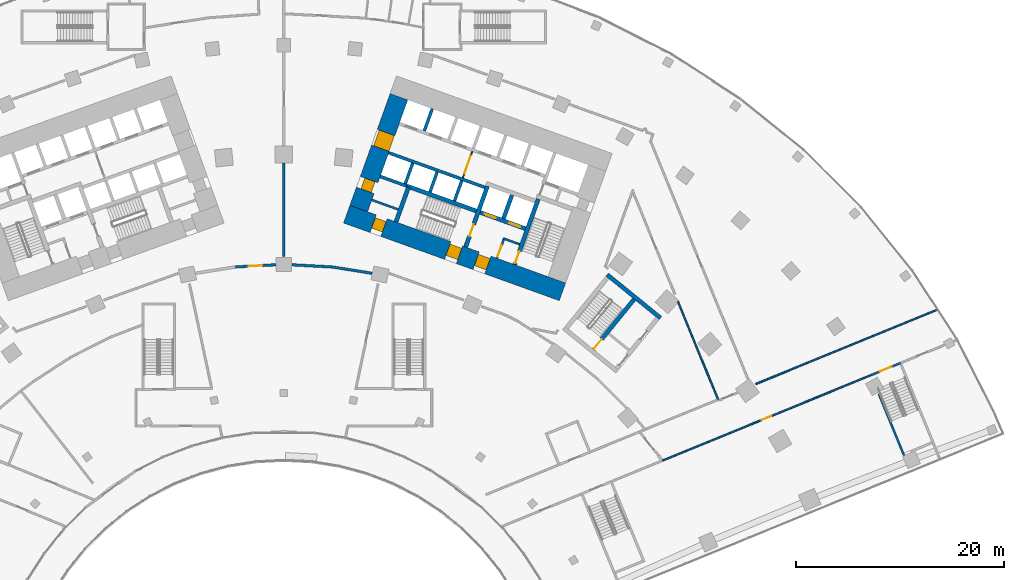
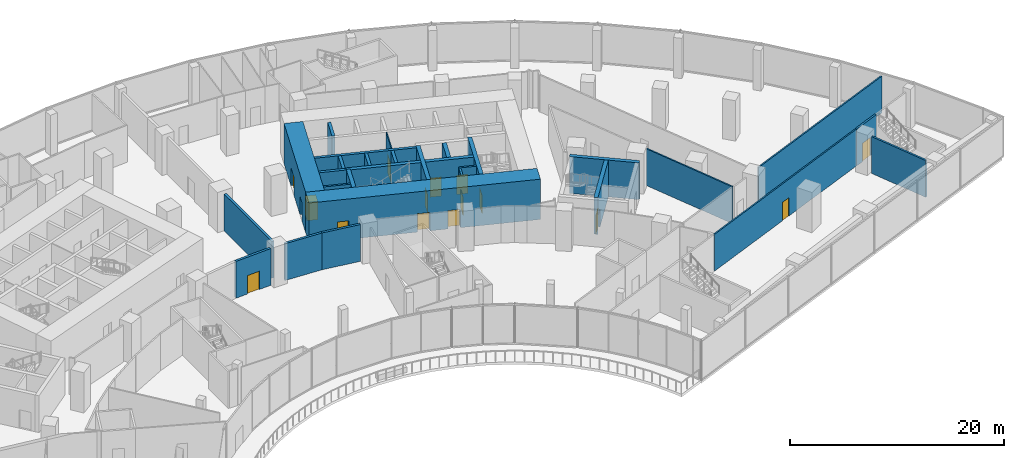
# One storey, part 27 of 39: 28 walls, 15 doors, 15 openings.
"""IFC4 building model written with IfcOpenShell, lengths in metres."""

from ifc_helpers import new_model, si_unit, direction, frame, frame_2d, origin, place, context, subcontext, project, spatial, rectangle, extrude, material, layer, layer_set, type_object, element, fill, save


model = new_model("IFC4")

# Units and contexts
model_context = context("Model", 3, precision=1e-05, world=origin(), true_north=direction((0.0, 1.0)))
body_context = subcontext(model_context, "Body", "Model", "MODEL_VIEW")
ifc_project = project(units=[si_unit("LENGTHUNIT", "METRE"), si_unit("AREAUNIT", "SQUARE_METRE"), si_unit("VOLUMEUNIT", "CUBIC_METRE"), si_unit("PLANEANGLEUNIT", "RADIAN"), si_unit("MASSUNIT", "GRAM", prefix="KILO")], contexts=[model_context])

# Site, building, storey
site_placement = place(None, origin())
site = spatial("IfcSite", under=ifc_project, at=site_placement, CompositionType="ELEMENT")
building_placement = place(site_placement, origin())
building = spatial("IfcBuilding", under=site, at=building_placement, Name="Stone Belt Terrace Tower", CompositionType="ELEMENT")
storey_placement = place(building_placement, frame((0.0, 0.0, 20.800048828125)))
storey = spatial("IfcBuildingStorey", under=building, at=storey_placement, Name="L04", CompositionType="ELEMENT", Elevation=20.800048828125)

# Wall, opening, door
ifc_material_1 = material(Name="Plasterboard partition")
ifc_layer_1 = layer(ifc_material_1, 0.10009765625)
ifc_layer_set_1 = layer_set([ifc_layer_1], Name="Core partition 100")
wall_type_1 = type_object("IfcWallType", Name="Core partition 100", PredefinedType="PARTITIONING", material=ifc_layer_set_1)
wall_1_placement = place(storey_placement, frame((17.17724609375, 52.749755859375, 0.0), z_axis=(0.0, 0.0, 1.0), x_axis=(0.338546555931, 0.940949642365, 0.0)))
wall_1 = element("IfcWall", 1, at=wall_1_placement, inside=storey, type_object=wall_type_1, Name="Core B wall", PredefinedType="PARTITIONING", context=body_context, shape_type="SweptSolid", body=[
    extrude(rectangle(XDim=2.699951171875, YDim=0.10009765625, at=frame_2d((1.35009765625, 0.0))), origin(), (0.0, 0.0, 1.0), 4.199951171875),
])
opening_1_placement = place(wall_1_placement, frame((0.449951171875, 0.0, 0.0)))
opening_1 = element("IfcOpeningElement", 2, at=opening_1_placement, cuts=wall_1, Name="Opening L04-C14", PredefinedType="OPENING", context=body_context, shape_type="SweptSolid", body=[
    extrude(rectangle(XDim=1.800048828125, YDim=2.10009765625, at=frame_2d((0.89990234375, 1.050048828125))), frame((0.0, 0.06005859375, 0.0), z_axis=(0.0, -1.0, 0.0), x_axis=(1.0, 0.0, 0.0)), (0.0, 0.0, 1.0), 0.1201171875),
])
ifc_material_2 = material(Name="Glazed aluminium door leaf", Category="aluminium")
door_type_1 = type_object("IfcDoorType", Name="Lift lobby entrance door 1800", OperationType="DOUBLE_DOOR_SINGLE_SWING", PredefinedType="DOOR", material=ifc_material_2)
door_1_placement = place(opening_1_placement, origin())
door_1 = element("IfcDoor", 3, at=door_1_placement, inside=storey, type_object=door_type_1, Name="Lift lobby double door core B", OperationType="DOUBLE_DOOR_SINGLE_SWING", OverallHeight=2.10009765625, OverallWidth=1.800048828125, PredefinedType="DOOR", context=body_context, shape_type="SweptSolid", body=[
    extrude(rectangle(XDim=1.800048828125, YDim=2.10009765625, at=frame_2d((0.89990234375, 1.050048828125))), frame((0.0, 0.02490234375, 0.0), z_axis=(0.0, -1.0, 0.0), x_axis=(1.0, 0.0, 0.0)), (0.0, 0.0, 1.0), 0.050048828125),
])
fill(opening_1, door_1)

# Wall, openings, doors
ifc_material_3 = material(Name="Concrete B80", Category="concrete")
ifc_layer_2 = layer(ifc_material_3, 1.800048828125)
ifc_layer_set_2 = layer_set([ifc_layer_2], Name="Core wall 1800 B80")
wall_type_2 = type_object("IfcWallType", Name="Core wall 1800 B80", PredefinedType="SHEAR", material=ifc_layer_set_2)
wall_2_placement = place(storey_placement, frame((6.039306640625, 49.265380859375, 0.0), z_axis=(0.0, 0.0, 1.0), x_axis=(0.940921642213, -0.338624368902, 0.0)))
wall_2 = element("IfcWall", 4, at=wall_2_placement, inside=storey, type_object=wall_type_2, Name="Core B wall concave L04", PredefinedType="SHEAR", context=body_context, shape_type="SweptSolid", body=[
    extrude(rectangle(XDim=22.0, YDim=1.800048828125, at=frame_2d((11.0, 0.0))), origin(), (0.0, 0.0, 1.0), 4.599853515625),
])
opening_2_placement = place(wall_2_placement, frame((13.199951171875, 0.0, 0.0)))
opening_2 = element("IfcOpeningElement", 5, at=opening_2_placement, cuts=wall_2, Name="Opening L04-C18", PredefinedType="OPENING", context=body_context, shape_type="SweptSolid", body=[
    extrude(rectangle(XDim=1.199951171875, YDim=2.10009765625, at=frame_2d((0.60009765625, 1.050048828125))), frame((0.0, 0.909912109375, 0.0), z_axis=(0.0, -1.0, 0.0), x_axis=(1.0, 0.0, 0.0)), (0.0, 0.0, 1.0), 1.820068359375),
])
opening_3_placement = place(wall_2_placement, frame((10.300048828125, 0.0, 0.0)))
opening_3 = element("IfcOpeningElement", 6, at=opening_3_placement, cuts=wall_2, Name="Opening L04-C20", PredefinedType="OPENING", context=body_context, shape_type="SweptSolid", body=[
    extrude(rectangle(XDim=1.199951171875, YDim=2.10009765625, at=frame_2d((0.60009765625, 1.050048828125))), frame((0.0, 0.909912109375, 0.0), z_axis=(0.0, -1.0, 0.0), x_axis=(1.0, 0.0, 0.0)), (0.0, 0.0, 1.0), 1.820068359375),
])
opening_4_placement = place(wall_2_placement, frame((2.699951171875, 0.0, 0.0)))
opening_4 = element("IfcOpeningElement", 7, at=opening_4_placement, cuts=wall_2, Name="Opening L04-C22", PredefinedType="OPENING", context=body_context, shape_type="SweptSolid", body=[
    extrude(rectangle(XDim=1.10009765625, YDim=2.10009765625, at=frame_2d((0.550048828125, 1.050048828125))), frame((0.0, 0.909912109375, 0.0), z_axis=(0.0, -1.0, 0.0), x_axis=(1.0, 0.0, 0.0)), (0.0, 0.0, 1.0), 1.820068359375),
])
ifc_material_4 = material(Name="Timber door leaf", Category="wood")
door_type_2 = type_object("IfcDoorType", Name="Core room door 1100", OperationType="SINGLE_SWING_LEFT", PredefinedType="DOOR", material=ifc_material_4)
door_2_placement = place(opening_4_placement, origin())
door_2 = element("IfcDoor", 8, at=door_2_placement, inside=storey, type_object=door_type_2, Name="Door to Pipe riser core B", OperationType="SINGLE_SWING_RIGHT", OverallHeight=2.10009765625, OverallWidth=1.10009765625, PredefinedType="DOOR", context=body_context, shape_type="SweptSolid", body=[
    extrude(rectangle(XDim=1.10009765625, YDim=2.10009765625, at=frame_2d((0.550048828125, 1.050048828125))), frame((0.0, 0.60498046875, 0.0), z_axis=(0.0, -1.0, 0.0), x_axis=(1.0, 0.0, 0.0)), (0.0, 0.0, 1.0), 1.050048828125),
])
fill(opening_4, door_2)
ifc_material_5 = material(Name="Steel door leaf", Category="steel")
door_type_3 = type_object("IfcDoorType", Name="Fire-fighting lobby door 1200", OperationType="SINGLE_SWING_LEFT", PredefinedType="DOOR", material=ifc_material_5)
door_3_placement = place(opening_2_placement, origin())
door_3 = element("IfcDoor", 9, at=door_3_placement, inside=storey, type_object=door_type_3, Name="Fire-fighting lobby door core B", OperationType="SINGLE_SWING_RIGHT", OverallHeight=2.10009765625, OverallWidth=1.199951171875, PredefinedType="DOOR", context=body_context, shape_type="SweptSolid", body=[
    extrude(rectangle(XDim=1.199951171875, YDim=2.10009765625, at=frame_2d((0.60009765625, 1.050048828125))), frame((0.0, 0.655029296875, 0.0), z_axis=(0.0, -1.0, 0.0), x_axis=(1.0, 0.0, 0.0)), (0.0, 0.0, 1.0), 1.14990234375),
])
fill(opening_2, door_3)
door_type_4 = type_object("IfcDoorType", Name="Stair door 1200", OperationType="SINGLE_SWING_LEFT", PredefinedType="DOOR", material=ifc_material_5)
door_4_placement = place(opening_3_placement, origin())
door_4 = element("IfcDoor", 10, at=door_4_placement, inside=storey, type_object=door_type_4, Name="Stair 2 exit door core B", OperationType="SINGLE_SWING_LEFT", OverallHeight=2.10009765625, OverallWidth=1.199951171875, PredefinedType="DOOR", context=body_context, shape_type="SweptSolid", body=[
    extrude(rectangle(XDim=1.199951171875, YDim=2.10009765625, at=frame_2d((0.60009765625, 1.050048828125))), frame((0.0, 0.655029296875, 0.0), z_axis=(0.0, -1.0, 0.0), x_axis=(1.0, 0.0, 0.0)), (0.0, 0.0, 1.0), 1.14990234375),
])
fill(opening_3, door_4)

wall_3_placement = place(storey_placement, frame((7.19091796875, 49.8076171875, 0.0), z_axis=(0.0, 0.0, 1.0), x_axis=(0.338632255135, 0.940918804033, 0.0)))
wall_3 = element("IfcWall", 11, at=wall_3_placement, inside=storey, type_object=wall_type_2, Name="Core B wall end_a L04", PredefinedType="SHEAR", context=body_context, shape_type="SweptSolid", body=[
    extrude(rectangle(XDim=11.39990234375, YDim=1.800048828125, at=frame_2d((5.699951171875, 0.0))), origin(), (0.0, 0.0, 1.0), 4.599853515625),
])
opening_5_placement = place(wall_3_placement, frame((6.14990234375, 0.0, 0.0)))
opening_5 = element("IfcOpeningElement", 12, at=opening_5_placement, cuts=wall_3, Name="Opening L04-C15", PredefinedType="OPENING", context=body_context, shape_type="SweptSolid", body=[
    extrude(rectangle(XDim=1.60009765625, YDim=2.10009765625, at=frame_2d((0.800048828125, 1.050048828125))), frame((0.0, 0.909912109375, 0.0), z_axis=(0.0, -1.0, 0.0), x_axis=(1.0, 0.0, 0.0)), (0.0, 0.0, 1.0), 1.820068359375),
])
opening_6_placement = place(wall_3_placement, frame((1.85009765625, 0.0, 0.0)))
opening_6 = element("IfcOpeningElement", 13, at=opening_6_placement, cuts=wall_3, Name="Opening L04-C21", PredefinedType="OPENING", context=body_context, shape_type="SweptSolid", body=[
    extrude(rectangle(XDim=1.10009765625, YDim=2.10009765625, at=frame_2d((0.550048828125, 1.050048828125))), frame((0.0, 0.909912109375, 0.0), z_axis=(0.0, -1.0, 0.0), x_axis=(1.0, 0.0, 0.0)), (0.0, 0.0, 1.0), 1.820068359375),
])
door_5_placement = place(opening_6_placement, origin())
door_5 = element("IfcDoor", 14, at=door_5_placement, inside=storey, type_object=door_type_2, Name="Door to Accessible WC core B", OperationType="SINGLE_SWING_LEFT", OverallHeight=2.10009765625, OverallWidth=1.10009765625, PredefinedType="DOOR", context=body_context, shape_type="SweptSolid", body=[
    extrude(rectangle(XDim=1.10009765625, YDim=2.10009765625, at=frame_2d((0.550048828125, 1.050048828125))), frame((0.0, 0.44482421875, 0.0), z_axis=(0.0, -1.0, 0.0), x_axis=(1.0, 0.0, 0.0)), (0.0, 0.0, 1.0), 1.050048828125),
])
fill(opening_6, door_5)
door_type_5 = type_object("IfcDoorType", Name="Lift lobby entrance door 1600", OperationType="DOUBLE_DOOR_SINGLE_SWING", PredefinedType="DOOR", material=ifc_material_2)
door_6_placement = place(opening_5_placement, origin())
door_6 = element("IfcDoor", 15, at=door_6_placement, inside=storey, type_object=door_type_5, Name="Lift lobby entrance door core B", OperationType="DOUBLE_DOOR_SINGLE_SWING", OverallHeight=2.10009765625, OverallWidth=1.60009765625, PredefinedType="DOOR", context=body_context, shape_type="SweptSolid", body=[
    extrude(rectangle(XDim=1.60009765625, YDim=2.10009765625, at=frame_2d((0.800048828125, 1.050048828125))), frame((0.0, 0.69482421875, 0.0), z_axis=(0.0, -1.0, 0.0), x_axis=(1.0, 0.0, 0.0)), (0.0, 0.0, 1.0), 1.550048828125),
])
fill(opening_5, door_6)

# Wall
ifc_layer_3 = layer(ifc_material_3, 0.39990234375)
ifc_layer_set_3 = layer_set([ifc_layer_3], Name="Fire-fighting lift shaft wall 400")
wall_type_3 = type_object("IfcWallType", Name="Fire-fighting lift shaft wall 400", PredefinedType="SHEAR", material=ifc_layer_set_3)
wall_4_placement = place(storey_placement, frame((21.0859375, 48.845458984375, 0.0), z_axis=(0.0, 0.0, 1.0), x_axis=(0.338629416206, 0.940919825745, 0.0)))
element("IfcWall", 16, at=wall_4_placement, inside=storey, type_object=wall_type_3, Name="Core B wall", PredefinedType="SHEAR", context=body_context, shape_type="SweptSolid", body=[
    extrude(rectangle(XDim=2.400146484375, YDim=0.39990234375, at=frame_2d((1.2001953125, 0.0))), origin(), (0.0, 0.0, 1.0), 4.199951171875),
])

# Wall, opening, door
ifc_material_6 = material(Name="Fire-resistant glazing in steel frame", Category="steel")
ifc_layer_4 = layer(ifc_material_6, 0.25)
ifc_layer_set_4 = layer_set([ifc_layer_4], Name="Glazed compartment fire screen 250")
wall_type_4 = type_object("IfcWallType", Name="Glazed compartment fire screen 250", PredefinedType="PARTITIONING", material=ifc_layer_set_4)
wall_5_placement = place(storey_placement, frame((-4.6435546875, 44.2001953125, 0.0), z_axis=(0.0, 0.0, 1.0), x_axis=(0.998555259213, 0.053734479607, 0.0)))
wall_5 = element("IfcWall", 17, at=wall_5_placement, inside=storey, type_object=wall_type_4, Name="Compartment fire screen L04 3", PredefinedType="PARTITIONING", context=body_context, shape_type="SweptSolid", body=[
    extrude(rectangle(XDim=3.880126953125, YDim=0.25, at=frame_2d((1.93994140625, 0.0))), origin(), (0.0, 0.0, 1.0), 4.199951171875),
])
opening_7_placement = place(wall_5_placement, frame((1.2900390625, 0.0, 0.0)))
opening_7 = element("IfcOpeningElement", 18, at=opening_7_placement, cuts=wall_5, Name="Opening L04-P31", PredefinedType="OPENING", context=body_context, shape_type="SweptSolid", body=[
    extrude(rectangle(XDim=1.300048828125, YDim=2.10009765625, at=frame_2d((0.64990234375, 1.050048828125))), frame((0.0, 0.135009765625, 0.0), z_axis=(0.0, -1.0, 0.0), x_axis=(1.0, 0.0, 0.0)), (0.0, 0.0, 1.0), 0.27001953125),
])
ifc_material_7 = material(Name="Steel framed fire door leaf", Category="steel")
door_type_6 = type_object("IfcDoorType", Name="Fire door 1300 x 2100 EI 60", OperationType="SINGLE_SWING_LEFT", PredefinedType="DOOR", material=ifc_material_7)
door_7_placement = place(opening_7_placement, origin())
door_7 = element("IfcDoor", 19, at=door_7_placement, inside=storey, type_object=door_type_6, Name="Fire door 1300 x 2100 EI 60", OperationType="SINGLE_SWING_LEFT", OverallHeight=2.10009765625, OverallWidth=1.300048828125, PredefinedType="DOOR", context=body_context, shape_type="SweptSolid", body=[
    extrude(rectangle(XDim=1.300048828125, YDim=2.10009765625, at=frame_2d((0.64990234375, 1.050048828125))), frame((0.0, 0.02490234375, 0.0), z_axis=(0.0, -1.0, 0.0), x_axis=(1.0, 0.0, 0.0)), (0.0, 0.0, 1.0), 0.050048828125),
])
fill(opening_7, door_7)

# Walls
wall_6_placement = place(storey_placement, frame((0.0, 45.215087890625, 0.0), z_axis=(0.0, 0.0, 1.0), x_axis=(0.0, 1.0, 0.0)))
element("IfcWall", 20, at=wall_6_placement, inside=storey, type_object=wall_type_4, Name="Compartment fire screen L04 4", PredefinedType="PARTITIONING", context=body_context, shape_type="SweptSolid", body=[
    extrude(rectangle(XDim=8.93994140625, YDim=0.25, at=frame_2d((4.469970703125, 0.0))), origin(), (0.0, 0.0, 1.0), 4.199951171875),
])
wall_7_placement = place(storey_placement, frame((0.76904296875, 44.40869140625, 0.0), z_axis=(0.0, 0.0, 1.0), x_axis=(0.998555259213, -0.053734479607, 0.0)))
element("IfcWall", 21, at=wall_7_placement, inside=storey, type_object=wall_type_4, Name="Compartment fire screen L04 5", PredefinedType="PARTITIONING", context=body_context, shape_type="SweptSolid", body=[
    extrude(rectangle(XDim=3.880126953125, YDim=0.25, at=frame_2d((1.93994140625, 0.0))), origin(), (0.0, 0.0, 1.0), 4.199951171875),
])
wall_8_placement = place(storey_placement, frame((4.656494140625, 44.198974609375, 0.0), z_axis=(0.0, 0.0, 1.0), x_axis=(0.98758230791, -0.157102466888, 0.0)))
element("IfcWall", 22, at=wall_8_placement, inside=storey, type_object=wall_type_4, Name="Compartment fire screen L04 7", PredefinedType="PARTITIONING", context=body_context, shape_type="SweptSolid", body=[
    extrude(rectangle(XDim=3.87109375, YDim=0.25, at=frame_2d((1.935546875, 0.0))), origin(), (0.0, 0.0, 1.0), 4.199951171875),
])
ifc_layer_5 = layer(ifc_material_3, 0.300048828125)
ifc_layer_set_5 = layer_set([ifc_layer_5], Name="Lift shaft wall 300")
wall_type_5 = type_object("IfcWallType", Name="Lift shaft wall 300", PredefinedType="SHEAR", material=ifc_layer_set_5)
wall_9_placement = place(storey_placement, frame((19.29052734375, 51.829833984375, 0.0), z_axis=(0.0, 0.0, 1.0), x_axis=(-0.940925833398, 0.338612722803, 0.0)))
element("IfcWall", 23, at=wall_9_placement, inside=storey, type_object=wall_type_5, Name="Core B wall", PredefinedType="SHEAR", context=body_context, shape_type="SweptSolid", body=[
    extrude(rectangle(XDim=9.7998046875, YDim=0.300048828125, at=frame_2d((4.89990234375, 0.0))), origin(), (0.0, 0.0, 1.0), 4.199951171875),
])
for number, where, z_axis, x_axis, name in (
    (24, (16.38134765625, 50.53857421875, 0.0), (0.0, 0.0, 1.0), (0.338681515556, 0.940901073982, 0.0), "Core B wall"),
    (25, (14.029052734375, 51.38525390625, 0.0), (0.0, 0.0, 1.0), (0.338681515556, 0.940901073982, 0.0), "Core B wall"),
):
    element("IfcWall", number, at=place(storey_placement, frame(where, z_axis=z_axis, x_axis=x_axis)), inside=storey, type_object=wall_type_5, Name=name, PredefinedType="SHEAR", context=body_context, shape_type="SweptSolid", body=[
        extrude(rectangle(XDim=2.050048828125, YDim=0.300048828125, at=frame_2d((1.02490234375, 0.0))), origin(), (0.0, 0.0, 1.0), 4.199951171875),
    ])
wall_10_placement = place(storey_placement, frame((11.797119140625, 51.975830078125, 0.0), z_axis=(0.0, 0.0, 1.0), x_axis=(-0.940910465161, 0.33865542451, 0.0)))
element("IfcWall", 26, at=wall_10_placement, inside=storey, type_object=wall_type_5, Name="Core B wall", PredefinedType="SHEAR", context=body_context, shape_type="SweptSolid", body=[
    extrude(rectangle(XDim=2.69970703125, YDim=0.300048828125, at=frame_2d((1.349853515625, 0.0))), origin(), (0.0, 0.0, 1.0), 4.199951171875),
])
wall_11_placement = place(storey_placement, frame((11.659912109375, 52.184814453125, 0.0), z_axis=(0.0, 0.0, 1.0), x_axis=(0.338670064856, 0.940905195634, 0.0)))
element("IfcWall", 27, at=wall_11_placement, inside=storey, type_object=wall_type_5, Name="Core B wall", PredefinedType="SHEAR", context=body_context, shape_type="SweptSolid", body=[
    extrude(rectangle(XDim=2.099853515625, YDim=0.300048828125, at=frame_2d((1.0498046875, 0.0))), origin(), (0.0, 0.0, 1.0), 4.199951171875),
])
wall_12_placement = place(storey_placement, frame((13.48828125, 57.265625, 0.0), z_axis=(0.0, 0.0, 1.0), x_axis=(0.338631098537, 0.940919220286, 0.0)))
element("IfcWall", 28, at=wall_12_placement, inside=storey, type_object=wall_type_5, Name="Core B wall", PredefinedType="SHEAR", context=body_context, shape_type="SweptSolid", body=[
    extrude(rectangle(XDim=2.250244140625, YDim=0.300048828125, at=frame_2d((1.125, 0.0))), origin(), (0.0, 0.0, 1.0), 4.199951171875),
])
ifc_material_8 = material(Name="Gypsum board on steel stud partition", Category="steel")
ifc_layer_6 = layer(ifc_material_8, 0.14990234375)
ifc_layer_set_6 = layer_set([ifc_layer_6], Name="Podium partition 150")
wall_type_6 = type_object("IfcWallType", Name="Podium partition 150", PredefinedType="PARTITIONING", material=ifc_layer_set_6)
wall_13_placement = place(storey_placement, frame((37.822265625, 40.882080078125, 0.0), z_axis=(0.0, 0.0, 1.0), x_axis=(0.379243967023, -0.925296716452, 0.0)))
element("IfcWall", 29, at=wall_13_placement, inside=storey, type_object=wall_type_6, Name="Podium partition 150", PredefinedType="PARTITIONING", context=body_context, shape_type="SweptSolid", body=[
    extrude(rectangle(XDim=10.171875, YDim=0.14990234375, at=frame_2d((5.0859375, 0.0))), origin(), (0.0, 0.0, 1.0), 4.199951171875),
])

# Wall, opening, door
wall_14_placement = place(storey_placement, frame((36.300048828125, 25.60009765625, 0.0), z_axis=(0.0, 0.0, 1.0), x_axis=(0.925327227709, 0.379169515733, 0.0)))
wall_14 = element("IfcWall", 30, at=wall_14_placement, inside=storey, type_object=wall_type_6, Name="Podium partition 150", PredefinedType="PARTITIONING", context=body_context, shape_type="SweptSolid", body=[
    extrude(rectangle(XDim=21.678955078125, YDim=0.14990234375, at=frame_2d((10.83935546875, 0.0))), origin(), (0.0, 0.0, 1.0), 4.199951171875),
])
opening_8_placement = place(wall_14_placement, frame((10.33935546875, 0.0, 0.0)))
opening_8 = element("IfcOpeningElement", 31, at=opening_8_placement, cuts=wall_14, Name="Opening L04-P20", PredefinedType="OPENING", context=body_context, shape_type="SweptSolid", body=[
    extrude(rectangle(XDim=1.0, YDim=2.10009765625, at=frame_2d((0.5, 1.050048828125))), frame((0.0, 0.0849609375, 0.0), z_axis=(0.0, -1.0, 0.0), x_axis=(1.0, 0.0, 0.0)), (0.0, 0.0, 1.0), 0.169921875),
])
ifc_material_9 = material(Name="Steel framed door leaf", Category="steel")
door_type_7 = type_object("IfcDoorType", Name="Podium door single 1000", OperationType="SINGLE_SWING_LEFT", PredefinedType="DOOR", material=ifc_material_9)
door_8_placement = place(opening_8_placement, origin())
door_8 = element("IfcDoor", 32, at=door_8_placement, inside=storey, type_object=door_type_7, Name="Podium door single 1000", OperationType="SINGLE_SWING_RIGHT", OverallHeight=2.10009765625, OverallWidth=1.0, PredefinedType="DOOR", context=body_context, shape_type="SweptSolid", body=[
    extrude(rectangle(XDim=1.0, YDim=2.10009765625, at=frame_2d((0.5, 1.050048828125))), frame((0.0, 0.02490234375, 0.0), z_axis=(0.0, -1.0, 0.0), x_axis=(1.0, 0.0, 0.0)), (0.0, 0.0, 1.0), 0.050048828125),
])
fill(opening_8, door_8)

# Wall
wall_15_placement = place(storey_placement, frame((45.29345703125, 32.964111328125, 0.0), z_axis=(0.0, 0.0, 1.0), x_axis=(0.925299264419, 0.379237750318, 0.0)))
element("IfcWall", 33, at=wall_15_placement, inside=storey, type_object=wall_type_6, Name="Podium partition 150", PredefinedType="PARTITIONING", context=body_context, shape_type="SweptSolid", body=[
    extrude(rectangle(XDim=18.887451171875, YDim=0.14990234375, at=frame_2d((9.44384765625, 0.0))), origin(), (0.0, 0.0, 1.0), 4.199951171875),
])

# Wall, opening, door
ifc_material_10 = material(Name="Concrete B30", Category="concrete")
ifc_layer_7 = layer(ifc_material_10, 0.199951171875)
ifc_layer_set_7 = layer_set([ifc_layer_7], Name="Podium stair and shaft wall 200")
wall_type_7 = type_object("IfcWallType", Name="Podium stair and shaft wall 200", PredefinedType="SOLIDWALL", material=ifc_layer_set_7)
wall_16_placement = place(storey_placement, frame((56.360107421875, 33.820068359375, 0.0), z_axis=(0.0, 0.0, 1.0), x_axis=(0.924815674246, 0.380415521068, 0.0)))
wall_16 = element("IfcWall", 34, at=wall_16_placement, inside=storey, type_object=wall_type_7, Name="Podium stair and shaft wall 200", PredefinedType="SOLIDWALL", context=body_context, shape_type="SweptSolid", body=[
    extrude(rectangle(XDim=3.049072265625, YDim=0.199951171875, at=frame_2d((1.5244140625, 0.0))), origin(), (0.0, 0.0, 1.0), 4.199951171875),
])
opening_9_placement = place(wall_16_placement, frame((0.924560546875, 0.0, 0.0)))
opening_9 = element("IfcOpeningElement", 35, at=opening_9_placement, cuts=wall_16, Name="Opening L04-P04", PredefinedType="OPENING", context=body_context, shape_type="SweptSolid", body=[
    extrude(rectangle(XDim=1.199951171875, YDim=2.10009765625, at=frame_2d((0.60009765625, 1.050048828125))), frame((0.0, 0.10986328125, 0.0), z_axis=(0.0, -1.0, 0.0), x_axis=(1.0, 0.0, 0.0)), (0.0, 0.0, 1.0), 0.219970703125),
])
door_type_8 = type_object("IfcDoorType", Name="Podium door fire stair 1200", OperationType="SINGLE_SWING_LEFT", PredefinedType="DOOR", material=ifc_material_9)
door_9_placement = place(opening_9_placement, origin())
door_9 = element("IfcDoor", 36, at=door_9_placement, inside=storey, type_object=door_type_8, Name="Podium door fire stair 1200", OperationType="SINGLE_SWING_RIGHT", OverallHeight=2.10009765625, OverallWidth=1.199951171875, PredefinedType="DOOR", context=body_context, shape_type="SweptSolid", body=[
    extrude(rectangle(XDim=1.199951171875, YDim=2.10009765625, at=frame_2d((0.60009765625, 1.050048828125))), frame((0.0, 0.02490234375, 0.0), z_axis=(0.0, -1.0, 0.0), x_axis=(1.0, 0.0, 0.0)), (0.0, 0.0, 1.0), 0.050048828125),
])
fill(opening_9, door_9)

# Walls
wall_17_placement = place(storey_placement, frame((57.094482421875, 32.02880859375, 0.0), z_axis=(0.0, 0.0, 1.0), x_axis=(0.379309770486, -0.92526974338, 0.0)))
element("IfcWall", 37, at=wall_17_placement, inside=storey, type_object=wall_type_7, Name="Podium stair and shaft wall 200", PredefinedType="SOLIDWALL", context=body_context, shape_type="SweptSolid", body=[
    extrude(rectangle(XDim=6.388916015625, YDim=0.199951171875, at=frame_2d((3.1943359375, 0.0))), origin(), (0.0, 0.0, 1.0), 4.199951171875),
])
ifc_material_11 = material(Name="Concrete masonry block", Category="masonry")
ifc_layer_8 = layer(ifc_material_11, 0.199951171875)
ifc_layer_set_8 = layer_set([ifc_layer_8], Name="Rated lobby wall 200")
wall_type_8 = type_object("IfcWallType", Name="Rated lobby wall 200", PredefinedType="PARTITIONING", material=ifc_layer_set_8)
wall_18_placement = place(storey_placement, frame((22.640625, 46.373046875, 0.0), z_axis=(0.0, 0.0, 1.0), x_axis=(-0.940966110313, 0.338500781747, 0.0)))
element("IfcWall", 38, at=wall_18_placement, inside=storey, type_object=wall_type_8, Name="Core B wall", PredefinedType="PARTITIONING", context=body_context, shape_type="SweptSolid", body=[
    extrude(rectangle(XDim=1.699951171875, YDim=0.199951171875, at=frame_2d((0.85009765625, 0.0))), origin(), (0.0, 0.0, 1.0), 4.199951171875),
])

# Wall, opening, door
wall_19_placement = place(storey_placement, frame((20.4580078125, 45.032958984375, 0.0), z_axis=(0.0, 0.0, 1.0), x_axis=(0.338573865316, 0.940939816208, 0.0)))
wall_19 = element("IfcWall", 39, at=wall_19_placement, inside=storey, type_object=wall_type_8, Name="Core B wall", PredefinedType="PARTITIONING", context=body_context, shape_type="SweptSolid", body=[
    extrude(rectangle(XDim=1.900146484375, YDim=0.199951171875, at=frame_2d((0.9501953125, 0.0))), origin(), (0.0, 0.0, 1.0), 4.199951171875),
])
opening_10_placement = place(wall_19_placement, frame((0.14990234375, 0.0, 0.0)))
opening_10 = element("IfcOpeningElement", 40, at=opening_10_placement, cuts=wall_19, Name="Opening L04-C17", PredefinedType="OPENING", context=body_context, shape_type="SweptSolid", body=[
    extrude(rectangle(XDim=1.199951171875, YDim=2.10009765625, at=frame_2d((0.60009765625, 1.050048828125))), frame((0.0, 0.10986328125, 0.0), z_axis=(0.0, -1.0, 0.0), x_axis=(1.0, 0.0, 0.0)), (0.0, 0.0, 1.0), 0.219970703125),
])
door_10_placement = place(opening_10_placement, origin())
door_10 = element("IfcDoor", 41, at=door_10_placement, inside=storey, type_object=door_type_4, Name="Stair airlock door core B", OperationType="SINGLE_SWING_RIGHT", OverallHeight=2.10009765625, OverallWidth=1.199951171875, PredefinedType="DOOR", context=body_context, shape_type="SweptSolid", body=[
    extrude(rectangle(XDim=1.199951171875, YDim=2.10009765625, at=frame_2d((0.60009765625, 1.050048828125))), frame((0.0, 0.02490234375, 0.0), z_axis=(0.0, -1.0, 0.0), x_axis=(1.0, 0.0, 0.0)), (0.0, 0.0, 1.0), 0.050048828125),
])
fill(opening_10, door_10)

# Wall
wall_20_placement = place(storey_placement, frame((10.984619140625, 49.717529296875, 0.0), z_axis=(0.0, 0.0, 1.0), x_axis=(-0.940920834877, 0.338626612206, 0.0)))
element("IfcWall", 42, at=wall_20_placement, inside=storey, type_object=wall_type_8, Name="Core B wall", PredefinedType="PARTITIONING", context=body_context, shape_type="SweptSolid", body=[
    extrude(rectangle(XDim=2.699951171875, YDim=0.199951171875, at=frame_2d((1.35009765625, 0.0))), origin(), (0.0, 0.0, 1.0), 4.199951171875),
])

# Wall, opening, door
ifc_layer_9 = layer(ifc_material_3, 0.39990234375)
ifc_layer_set_9 = layer_set([ifc_layer_9], Name="Stair enclosure wall 400")
wall_type_9 = type_object("IfcWallType", Name="Stair enclosure wall 400", PredefinedType="SHEAR", material=ifc_layer_set_9)
wall_21_placement = place(storey_placement, frame((22.151611328125, 44.42333984375, 0.0), z_axis=(0.0, 0.0, 1.0), x_axis=(0.338625272931, 0.940921316866, 0.0)))
wall_21 = element("IfcWall", 43, at=wall_21_placement, inside=storey, type_object=wall_type_9, Name="Core B wall", PredefinedType="SHEAR", context=body_context, shape_type="SweptSolid", body=[
    extrude(rectangle(XDim=6.699951171875, YDim=0.39990234375, at=frame_2d((3.35009765625, 0.0))), origin(), (0.0, 0.0, 1.0), 4.199951171875),
])
opening_11_placement = place(wall_21_placement, frame((0.14990234375, 0.0, 0.0)))
opening_11 = element("IfcOpeningElement", 44, at=opening_11_placement, cuts=wall_21, Name="Opening L04-C16", PredefinedType="OPENING", context=body_context, shape_type="SweptSolid", body=[
    extrude(rectangle(XDim=1.199951171875, YDim=2.10009765625, at=frame_2d((0.60009765625, 1.050048828125))), frame((0.0, 0.2099609375, 0.0), z_axis=(0.0, -1.0, 0.0), x_axis=(1.0, 0.0, 0.0)), (0.0, 0.0, 1.0), 0.419921875),
])
door_11_placement = place(opening_11_placement, origin())
door_11 = element("IfcDoor", 45, at=door_11_placement, inside=storey, type_object=door_type_4, Name="Stair 1 door core B", OperationType="SINGLE_SWING_RIGHT", OverallHeight=2.10009765625, OverallWidth=1.199951171875, PredefinedType="DOOR", context=body_context, shape_type="SweptSolid", body=[
    extrude(rectangle(XDim=1.199951171875, YDim=2.10009765625, at=frame_2d((0.60009765625, 1.050048828125))), frame((0.0, 0.02490234375, 0.0), z_axis=(0.0, -1.0, 0.0), x_axis=(1.0, 0.0, 0.0)), (0.0, 0.0, 1.0), 0.050048828125),
])
fill(opening_11, door_11)

# Wall, openings, doors
wall_22_placement = place(storey_placement, frame((23.182373046875, 47.87841796875, 0.0), z_axis=(0.0, 0.0, 1.0), x_axis=(-0.940921101762, 0.338625870628, 0.0)))
wall_22 = element("IfcWall", 46, at=wall_22_placement, inside=storey, type_object=wall_type_9, Name="Core B wall", PredefinedType="SHEAR", context=body_context, shape_type="SweptSolid", body=[
    extrude(rectangle(XDim=12.10009765625, YDim=0.39990234375, at=frame_2d((6.050048828125, 0.0))), origin(), (0.0, 0.0, 1.0), 4.199951171875),
])
opening_12_placement = place(wall_22_placement, frame((0.52001953125, 0.0, 0.0)))
opening_12 = element("IfcOpeningElement", 47, at=opening_12_placement, cuts=wall_22, Name="Opening L04-LD16", PredefinedType="OPENING", context=body_context, shape_type="SweptSolid", body=[
    extrude(rectangle(XDim=1.10009765625, YDim=2.199951171875, at=frame_2d((0.550048828125, 1.10009765625))), frame((0.0, 0.2099609375, 0.0), z_axis=(0.0, -1.0, 0.0), x_axis=(1.0, 0.0, 0.0)), (0.0, 0.0, 1.0), 0.419921875),
])
opening_13_placement = place(wall_22_placement, frame((3.02001953125, 0.0, 0.0)))
opening_13 = element("IfcOpeningElement", 48, at=opening_13_placement, cuts=wall_22, Name="Opening L04-LD17", PredefinedType="OPENING", context=body_context, shape_type="SweptSolid", body=[
    extrude(rectangle(XDim=1.10009765625, YDim=2.199951171875, at=frame_2d((0.550048828125, 1.10009765625))), frame((0.0, 0.2099609375, 0.0), z_axis=(0.0, -1.0, 0.0), x_axis=(1.0, 0.0, 0.0)), (0.0, 0.0, 1.0), 0.419921875),
])
ifc_material_12 = material(Name="Stainless steel door leaf", Category="steel")
door_type_9 = type_object("IfcDoorType", Name="Landing door 1100", OperationType="SLIDING_TO_LEFT", PredefinedType="DOOR", material=ifc_material_12)
door_12_placement = place(opening_12_placement, origin())
door_12 = element("IfcDoor", 49, at=door_12_placement, inside=storey, type_object=door_type_9, Name="Landing door FF1 core B", OperationType="SLIDING_TO_LEFT", OverallHeight=2.199951171875, OverallWidth=1.10009765625, PredefinedType="DOOR", context=body_context, shape_type="SweptSolid", body=[
    extrude(rectangle(XDim=1.10009765625, YDim=2.199951171875, at=frame_2d((0.550048828125, 1.10009765625))), frame((0.0, 0.02490234375, 0.0), z_axis=(0.0, -1.0, 0.0), x_axis=(1.0, 0.0, 0.0)), (0.0, 0.0, 1.0), 0.050048828125),
])
fill(opening_12, door_12)
door_13_placement = place(opening_13_placement, origin())
door_13 = element("IfcDoor", 50, at=door_13_placement, inside=storey, type_object=door_type_9, Name="Landing door FF2 core B", OperationType="SLIDING_TO_LEFT", OverallHeight=2.199951171875, OverallWidth=1.10009765625, PredefinedType="DOOR", context=body_context, shape_type="SweptSolid", body=[
    extrude(rectangle(XDim=1.10009765625, YDim=2.199951171875, at=frame_2d((0.550048828125, 1.10009765625))), frame((0.0, 0.02490234375, 0.0), z_axis=(0.0, -1.0, 0.0), x_axis=(1.0, 0.0, 0.0)), (0.0, 0.0, 1.0), 0.050048828125),
])
fill(opening_13, door_13)

# Wall, opening, door
wall_23_placement = place(storey_placement, frame((17.447021484375, 46.116455078125, 0.0), z_axis=(0.0, 0.0, 1.0), x_axis=(0.33860791464, 0.940927563707, 0.0)))
wall_23 = element("IfcWall", 51, at=wall_23_placement, inside=storey, type_object=wall_type_9, Name="Core B wall", PredefinedType="SHEAR", context=body_context, shape_type="SweptSolid", body=[
    extrude(rectangle(XDim=6.199951171875, YDim=0.39990234375, at=frame_2d((3.10009765625, 0.0))), origin(), (0.0, 0.0, 1.0), 4.199951171875),
])
opening_14_placement = place(wall_23_placement, frame((1.10009765625, 0.0, 0.0)))
opening_14 = element("IfcOpeningElement", 52, at=opening_14_placement, cuts=wall_23, Name="Opening L04-C19", PredefinedType="OPENING", context=body_context, shape_type="SweptSolid", body=[
    extrude(rectangle(XDim=1.199951171875, YDim=2.10009765625, at=frame_2d((0.60009765625, 1.050048828125))), frame((0.0, 0.2099609375, 0.0), z_axis=(0.0, -1.0, 0.0), x_axis=(1.0, 0.0, 0.0)), (0.0, 0.0, 1.0), 0.419921875),
])
door_14_placement = place(opening_14_placement, origin())
door_14 = element("IfcDoor", 53, at=door_14_placement, inside=storey, type_object=door_type_4, Name="Stair 2 door core B", OperationType="SINGLE_SWING_RIGHT", OverallHeight=2.10009765625, OverallWidth=1.199951171875, PredefinedType="DOOR", context=body_context, shape_type="SweptSolid", body=[
    extrude(rectangle(XDim=1.199951171875, YDim=2.10009765625, at=frame_2d((0.60009765625, 1.050048828125))), frame((0.0, 0.02490234375, 0.0), z_axis=(0.0, -1.0, 0.0), x_axis=(1.0, 0.0, 0.0)), (0.0, 0.0, 1.0), 0.050048828125),
])
fill(opening_14, door_14)

# Walls
wall_24_placement = place(storey_placement, frame((10.766357421875, 48.520751953125, 0.0), z_axis=(0.0, 0.0, 1.0), x_axis=(0.338626928157, 0.94092072117, 0.0)))
element("IfcWall", 54, at=wall_24_placement, inside=storey, type_object=wall_type_9, Name="Core B wall", PredefinedType="SHEAR", context=body_context, shape_type="SweptSolid", body=[
    extrude(rectangle(XDim=3.550048828125, YDim=0.39990234375, at=frame_2d((1.77490234375, 0.0))), origin(), (0.0, 0.0, 1.0), 4.199951171875),
])
wall_25_placement = place(storey_placement, frame((31.02783203125, 43.46337890625, 0.0), z_axis=(0.0, 0.0, 1.0), x_axis=(0.776413760801, -0.630223509589, 0.0)))
element("IfcWall", 55, at=wall_25_placement, inside=storey, type_object=wall_type_9, Name="Exit stair ST3B wall", PredefinedType="SHEAR", context=body_context, shape_type="SweptSolid", body=[
    extrude(rectangle(XDim=6.599853515625, YDim=0.39990234375, at=frame_2d((3.2998046875, 0.0))), origin(), (0.0, 0.0, 1.0), 4.199951171875),
])

# Wall, opening, door
wall_26_placement = place(storey_placement, frame((29.7119140625, 36.288330078125, 0.0), z_axis=(0.0, 0.0, 1.0), x_axis=(0.630192283849, 0.776439106033, 0.0)))
wall_26 = element("IfcWall", 56, at=wall_26_placement, inside=storey, type_object=wall_type_9, Name="Exit stair ST3B wall", PredefinedType="SHEAR", context=body_context, shape_type="SweptSolid", body=[
    extrude(rectangle(XDim=6.199951171875, YDim=0.39990234375, at=frame_2d((3.10009765625, 0.0))), origin(), (0.0, 0.0, 1.0), 4.199951171875),
])
opening_15_placement = place(wall_26_placement, frame((0.050048828125, 0.0, 0.0)))
opening_15 = element("IfcOpeningElement", 57, at=opening_15_placement, cuts=wall_26, Name="Opening L04-C26", PredefinedType="OPENING", context=body_context, shape_type="SweptSolid", body=[
    extrude(rectangle(XDim=1.199951171875, YDim=2.10009765625, at=frame_2d((0.60009765625, 1.050048828125))), frame((0.0, 0.2099609375, 0.0), z_axis=(0.0, -1.0, 0.0), x_axis=(1.0, 0.0, 0.0)), (0.0, 0.0, 1.0), 0.419921875),
])
door_15_placement = place(opening_15_placement, origin())
door_15 = element("IfcDoor", 58, at=door_15_placement, inside=storey, type_object=door_type_4, Name="Stair door ST3B", OperationType="SINGLE_SWING_RIGHT", OverallHeight=2.10009765625, OverallWidth=1.199951171875, PredefinedType="DOOR", context=body_context, shape_type="SweptSolid", body=[
    extrude(rectangle(XDim=1.199951171875, YDim=2.10009765625, at=frame_2d((0.60009765625, 1.050048828125))), frame((0.0, 0.02490234375, 0.0), z_axis=(0.0, -1.0, 0.0), x_axis=(1.0, 0.0, 0.0)), (0.0, 0.0, 1.0), 0.050048828125),
])
fill(opening_15, door_15)

save(model, "model.ifc")
